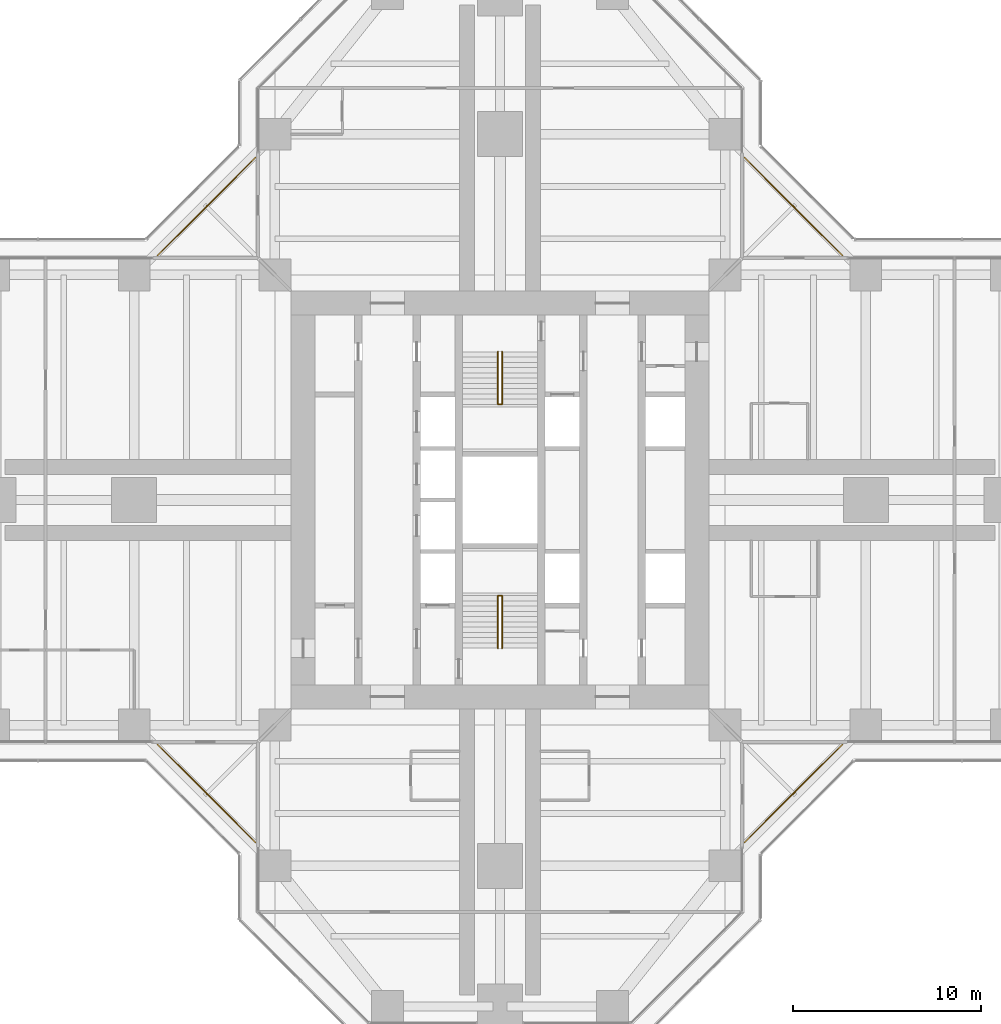
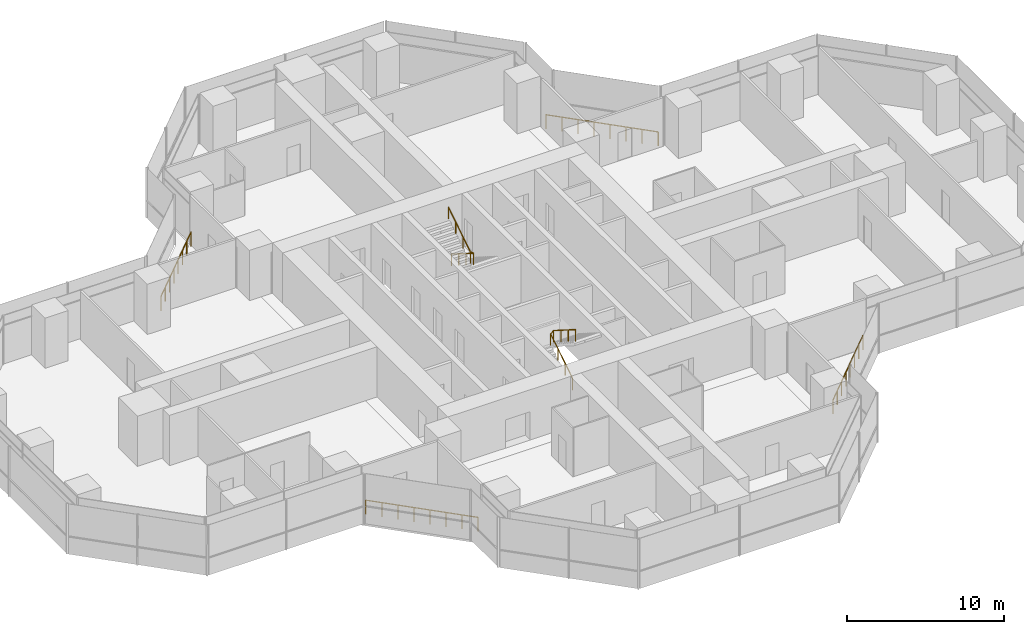
# One storey, part 19 of 19: 6 railings.
"""IFC4 building model written with IfcOpenShell, lengths in metres."""

from ifc_helpers import new_model, si_unit, direction, frame, origin, origin_2d, place, context, subcontext, project, spatial, circle, extrude, material, type_object, element, save


model = new_model("IFC4")

# Units and contexts
model_context = context("Model", 3, precision=1e-05, world=origin(), true_north=direction((0.0, 1.0)))
body_context = subcontext(model_context, "Body", "Model", "MODEL_VIEW")
ifc_project = project(units=[si_unit("LENGTHUNIT", "METRE"), si_unit("AREAUNIT", "SQUARE_METRE"), si_unit("VOLUMEUNIT", "CUBIC_METRE"), si_unit("PLANEANGLEUNIT", "RADIAN"), si_unit("MASSUNIT", "GRAM", prefix="KILO")], contexts=[model_context])

# Site, building, storey
site_placement = place(None, origin())
site = spatial("IfcSite", under=ifc_project, at=site_placement, CompositionType="ELEMENT")
building_placement = place(site_placement, origin())
building = spatial("IfcBuilding", under=site, at=building_placement, Name="Mizan Broadcast Tower", CompositionType="ELEMENT")
storey_placement = place(building_placement, frame((0.0, 0.0, 182.699951171875)))
storey = spatial("IfcBuildingStorey", under=building, at=storey_placement, Name="L42", CompositionType="ELEMENT", Elevation=182.699951171875)

# Railings
ifc_material_1 = material(Name="Stainless steel and glass guard", Category="steel")
railing_type_1 = type_object("IfcRailingType", Name="GUARD 1100", PredefinedType="GUARDRAIL", material=ifc_material_1)
railing_1_placement = place(storey_placement, frame((18.2578125, 13.030029296875, 0.0)))
element("IfcRailing", 1, at=railing_1_placement, inside=storey, type_object=railing_type_1, Name="Winter garden guard L42 E", PredefinedType="GUARDRAIL", context=body_context, shape_type="SweptSolid", body=[
    extrude(circle(Radius=0.02392578125, at=origin_2d()), frame((0.0, 0.0, 1.076171875), z_axis=(-0.707106781187, 0.707106781187, 0.0), x_axis=(-0.707106781187, -0.707106781187, 0.0)), (0.0, 0.0, 1.0), 7.393310546875),
    extrude(circle(Radius=0.02099609375, at=origin_2d()), origin(), (0.0, 0.0, 1.0), 1.052001953125),
    extrude(circle(Radius=0.02099609375, at=origin_2d()), frame((-0.746826171875, 0.746826171875, 0.0)), (0.0, 0.0, 1.0), 1.052001953125),
    extrude(circle(Radius=0.02099609375, at=origin_2d()), frame((-1.49365234375, 1.49365234375, 0.0)), (0.0, 0.0, 1.0), 1.052001953125),
    extrude(circle(Radius=0.02099609375, at=origin_2d()), frame((-2.240478515625, 2.240478515625, 0.0)), (0.0, 0.0, 1.0), 1.052001953125),
    extrude(circle(Radius=0.02099609375, at=origin_2d()), frame((-2.9873046875, 2.9873046875, 0.0)), (0.0, 0.0, 1.0), 1.052001953125),
    extrude(circle(Radius=0.02099609375, at=origin_2d()), frame((-3.734130859375, 3.734130859375, 0.0)), (0.0, 0.0, 1.0), 1.052001953125),
    extrude(circle(Radius=0.02099609375, at=origin_2d()), frame((-4.48095703125, 4.48095703125, 0.0)), (0.0, 0.0, 1.0), 1.052001953125),
    extrude(circle(Radius=0.02099609375, at=origin_2d()), frame((-5.227783203125, 5.227783203125, 0.0)), (0.0, 0.0, 1.0), 1.052001953125),
])
railing_2_placement = place(storey_placement, frame((-13.030029296875, 18.2578125, 0.0)))
element("IfcRailing", 2, at=railing_2_placement, inside=storey, type_object=railing_type_1, Name="Winter garden guard L42 N", PredefinedType="GUARDRAIL", context=body_context, shape_type="SweptSolid", body=[
    extrude(circle(Radius=0.02392578125, at=origin_2d()), frame((0.0, 0.0, 1.076171875), z_axis=(-0.707106781187, -0.707106781187, 0.0), x_axis=(0.707106781187, -0.707106781187, 0.0)), (0.0, 0.0, 1.0), 7.393310546875),
    extrude(circle(Radius=0.02099609375, at=origin_2d()), origin(), (0.0, 0.0, 1.0), 1.052001953125),
    extrude(circle(Radius=0.02099609375, at=origin_2d()), frame((-0.746826171875, -0.746826171875, 0.0)), (0.0, 0.0, 1.0), 1.052001953125),
    extrude(circle(Radius=0.02099609375, at=origin_2d()), frame((-1.49365234375, -1.49365234375, 0.0)), (0.0, 0.0, 1.0), 1.052001953125),
    extrude(circle(Radius=0.02099609375, at=origin_2d()), frame((-2.240478515625, -2.240478515625, 0.0)), (0.0, 0.0, 1.0), 1.052001953125),
    extrude(circle(Radius=0.02099609375, at=origin_2d()), frame((-2.9873046875, -2.9873046875, 0.0)), (0.0, 0.0, 1.0), 1.052001953125),
    extrude(circle(Radius=0.02099609375, at=origin_2d()), frame((-3.734130859375, -3.734130859375, 0.0)), (0.0, 0.0, 1.0), 1.052001953125),
    extrude(circle(Radius=0.02099609375, at=origin_2d()), frame((-4.48095703125, -4.48095703125, 0.0)), (0.0, 0.0, 1.0), 1.052001953125),
    extrude(circle(Radius=0.02099609375, at=origin_2d()), frame((-5.227783203125, -5.227783203125, 0.0)), (0.0, 0.0, 1.0), 1.052001953125),
])
railing_3_placement = place(storey_placement, frame((-18.2578125, -13.030029296875, 0.0)))
element("IfcRailing", 3, at=railing_3_placement, inside=storey, type_object=railing_type_1, Name="Winter garden guard L42 W", PredefinedType="GUARDRAIL", context=body_context, shape_type="SweptSolid", body=[
    extrude(circle(Radius=0.02392578125, at=origin_2d()), frame((0.0, 0.0, 1.076171875), z_axis=(0.707106781187, -0.707106781187, 0.0), x_axis=(0.707106781187, 0.707106781187, 0.0)), (0.0, 0.0, 1.0), 7.393310546875),
    extrude(circle(Radius=0.02099609375, at=origin_2d()), origin(), (0.0, 0.0, 1.0), 1.052001953125),
    extrude(circle(Radius=0.02099609375, at=origin_2d()), frame((0.746826171875, -0.746826171875, 0.0)), (0.0, 0.0, 1.0), 1.052001953125),
    extrude(circle(Radius=0.02099609375, at=origin_2d()), frame((1.49365234375, -1.49365234375, 0.0)), (0.0, 0.0, 1.0), 1.052001953125),
    extrude(circle(Radius=0.02099609375, at=origin_2d()), frame((2.240478515625, -2.240478515625, 0.0)), (0.0, 0.0, 1.0), 1.052001953125),
    extrude(circle(Radius=0.02099609375, at=origin_2d()), frame((2.9873046875, -2.9873046875, 0.0)), (0.0, 0.0, 1.0), 1.052001953125),
    extrude(circle(Radius=0.02099609375, at=origin_2d()), frame((3.734130859375, -3.734130859375, 0.0)), (0.0, 0.0, 1.0), 1.052001953125),
    extrude(circle(Radius=0.02099609375, at=origin_2d()), frame((4.48095703125, -4.48095703125, 0.0)), (0.0, 0.0, 1.0), 1.052001953125),
    extrude(circle(Radius=0.02099609375, at=origin_2d()), frame((5.227783203125, -5.227783203125, 0.0)), (0.0, 0.0, 1.0), 1.052001953125),
])
railing_4_placement = place(storey_placement, frame((13.030029296875, -18.2578125, 0.0)))
element("IfcRailing", 4, at=railing_4_placement, inside=storey, type_object=railing_type_1, Name="Winter garden guard L42 S", PredefinedType="GUARDRAIL", context=body_context, shape_type="SweptSolid", body=[
    extrude(circle(Radius=0.02392578125, at=origin_2d()), frame((0.0, 0.0, 1.076171875), z_axis=(0.707106781187, 0.707106781187, 0.0), x_axis=(-0.707106781187, 0.707106781187, 0.0)), (0.0, 0.0, 1.0), 7.393310546875),
    extrude(circle(Radius=0.02099609375, at=origin_2d()), origin(), (0.0, 0.0, 1.0), 1.052001953125),
    extrude(circle(Radius=0.02099609375, at=origin_2d()), frame((0.746826171875, 0.746826171875, 0.0)), (0.0, 0.0, 1.0), 1.052001953125),
    extrude(circle(Radius=0.02099609375, at=origin_2d()), frame((1.49365234375, 1.49365234375, 0.0)), (0.0, 0.0, 1.0), 1.052001953125),
    extrude(circle(Radius=0.02099609375, at=origin_2d()), frame((2.240478515625, 2.240478515625, 0.0)), (0.0, 0.0, 1.0), 1.052001953125),
    extrude(circle(Radius=0.02099609375, at=origin_2d()), frame((2.9873046875, 2.9873046875, 0.0)), (0.0, 0.0, 1.0), 1.052001953125),
    extrude(circle(Radius=0.02099609375, at=origin_2d()), frame((3.734130859375, 3.734130859375, 0.0)), (0.0, 0.0, 1.0), 1.052001953125),
    extrude(circle(Radius=0.02099609375, at=origin_2d()), frame((4.48095703125, 4.48095703125, 0.0)), (0.0, 0.0, 1.0), 1.052001953125),
    extrude(circle(Radius=0.02099609375, at=origin_2d()), frame((5.227783203125, 5.227783203125, 0.0)), (0.0, 0.0, 1.0), 1.052001953125),
])
ifc_material_2 = material(Name="Stainless steel", Category="steel")
railing_type_2 = type_object("IfcRailingType", Name="HANDRAIL 50", PredefinedType="HANDRAIL", material=ifc_material_2)
railing_5_placement = place(storey_placement, frame((-0.110107421875, -7.89990234375, 0.17724609375)))
element("IfcRailing", 5, at=railing_5_placement, inside=storey, type_object=railing_type_2, Name="Stair A handrail", PredefinedType="HANDRAIL", context=body_context, shape_type="SweptSolid", body=[
    extrude(circle(Radius=0.02392578125, at=origin_2d()), frame((0.0, 0.0, 0.8759765625), z_axis=(0.0, 0.844887892834, 0.53494340686), x_axis=(-1.0, 0.0, 0.0)), (0.0, 0.0, 1.0), 3.313720703125),
    extrude(circle(Radius=0.02392578125, at=origin_2d()), frame((0.0, 2.7998046875, 2.6484375), z_axis=(0.77858989007, 0.0, 0.627533093216), x_axis=(0.0, 1.0, 0.0)), (0.0, 0.0, 1.0), 0.282958984375),
    extrude(circle(Radius=0.02392578125, at=origin_2d()), frame((0.22021484375, 2.7998046875, 2.826171875), z_axis=(0.0, -0.844887892834, 0.53494340686), x_axis=(1.0, 0.0, 0.0)), (0.0, 0.0, 1.0), 3.313720703125),
    extrude(circle(Radius=0.02099609375, at=origin_2d()), origin(), (0.0, 0.0, 1.0), 0.851806640625),
    extrude(circle(Radius=0.02099609375, at=origin_2d()), frame((0.0, 0.933349609375, 0.5908203125)), (0.0, 0.0, 1.0), 0.851806640625),
    extrude(circle(Radius=0.02099609375, at=origin_2d()), frame((0.0, 1.866455078125, 1.181884765625)), (0.0, 0.0, 1.0), 0.851806640625),
    extrude(circle(Radius=0.02099609375, at=origin_2d()), frame((0.0, 2.7998046875, 1.772705078125)), (0.0, 0.0, 1.0), 0.851806640625),
    extrude(circle(Radius=0.02099609375, at=origin_2d()), frame((0.22021484375, 2.7998046875, 1.9501953125)), (0.0, 0.0, 1.0), 0.851806640625),
    extrude(circle(Radius=0.02099609375, at=origin_2d()), frame((0.22021484375, 1.866455078125, 2.541015625)), (0.0, 0.0, 1.0), 0.851806640625),
    extrude(circle(Radius=0.02099609375, at=origin_2d()), frame((0.22021484375, 0.933349609375, 3.132080078125)), (0.0, 0.0, 1.0), 0.851806640625),
    extrude(circle(Radius=0.02099609375, at=origin_2d()), frame((0.22021484375, 0.0, 3.722900390625)), (0.0, 0.0, 1.0), 0.851806640625),
])
railing_6_placement = place(storey_placement, frame((0.110107421875, 7.89990234375, 0.17724609375)))
element("IfcRailing", 6, at=railing_6_placement, inside=storey, type_object=railing_type_2, Name="Stair B handrail", PredefinedType="HANDRAIL", context=body_context, shape_type="SweptSolid", body=[
    extrude(circle(Radius=0.02392578125, at=origin_2d()), frame((0.0, 0.0, 0.8759765625), z_axis=(0.0, -0.844887892834, 0.53494340686), x_axis=(1.0, 0.0, 0.0)), (0.0, 0.0, 1.0), 3.313720703125),
    extrude(circle(Radius=0.02392578125, at=origin_2d()), frame((0.0, -2.7998046875, 2.6484375), z_axis=(-0.77858989007, 0.0, 0.627533093216), x_axis=(0.0, -1.0, 0.0)), (0.0, 0.0, 1.0), 0.282958984375),
    extrude(circle(Radius=0.02392578125, at=origin_2d()), frame((-0.22021484375, -2.7998046875, 2.826171875), z_axis=(0.0, 0.844887892834, 0.53494340686), x_axis=(-1.0, 0.0, 0.0)), (0.0, 0.0, 1.0), 3.313720703125),
    extrude(circle(Radius=0.02099609375, at=origin_2d()), origin(), (0.0, 0.0, 1.0), 0.851806640625),
    extrude(circle(Radius=0.02099609375, at=origin_2d()), frame((0.0, -0.933349609375, 0.5908203125)), (0.0, 0.0, 1.0), 0.851806640625),
    extrude(circle(Radius=0.02099609375, at=origin_2d()), frame((0.0, -1.866455078125, 1.181884765625)), (0.0, 0.0, 1.0), 0.851806640625),
    extrude(circle(Radius=0.02099609375, at=origin_2d()), frame((0.0, -2.7998046875, 1.772705078125)), (0.0, 0.0, 1.0), 0.851806640625),
    extrude(circle(Radius=0.02099609375, at=origin_2d()), frame((-0.22021484375, -2.7998046875, 1.9501953125)), (0.0, 0.0, 1.0), 0.851806640625),
    extrude(circle(Radius=0.02099609375, at=origin_2d()), frame((-0.22021484375, -1.866455078125, 2.541015625)), (0.0, 0.0, 1.0), 0.851806640625),
    extrude(circle(Radius=0.02099609375, at=origin_2d()), frame((-0.22021484375, -0.933349609375, 3.132080078125)), (0.0, 0.0, 1.0), 0.851806640625),
    extrude(circle(Radius=0.02099609375, at=origin_2d()), frame((-0.22021484375, 0.0, 3.722900390625)), (0.0, 0.0, 1.0), 0.851806640625),
])

save(model, "model.ifc")
